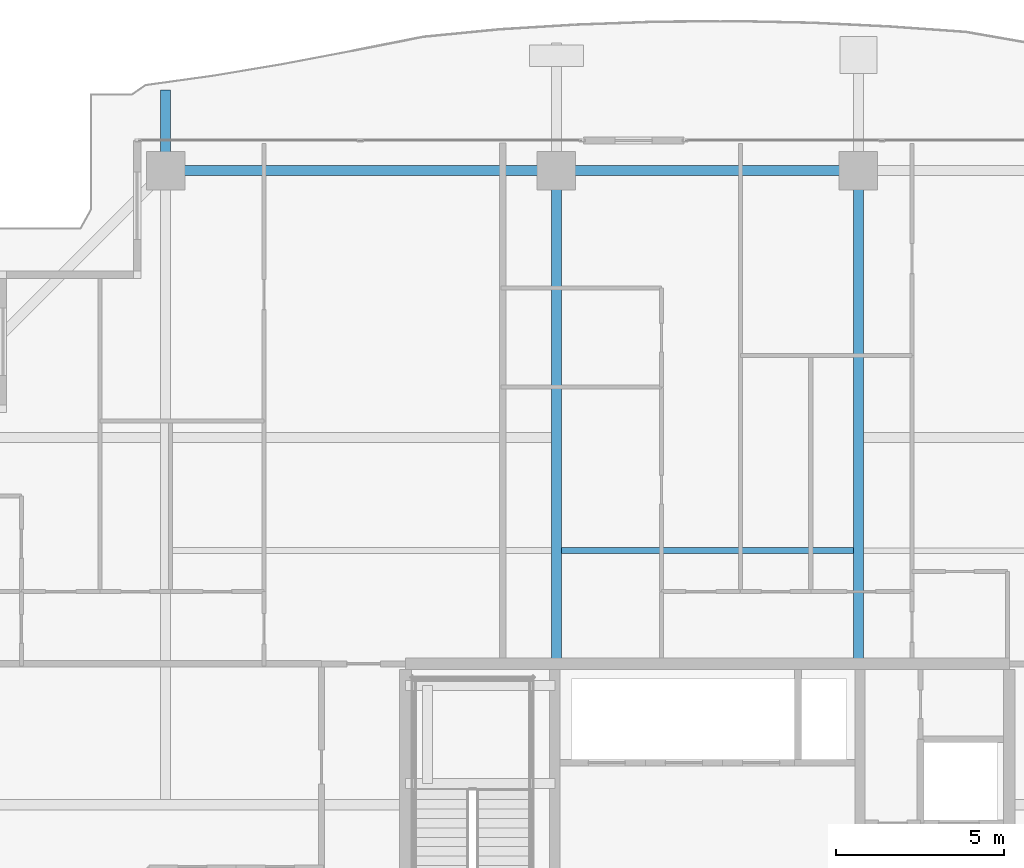
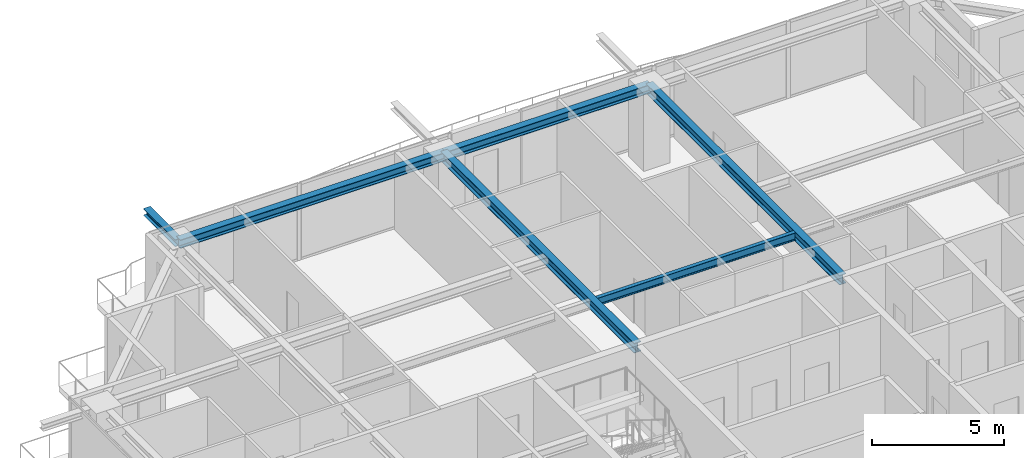
# One storey, part 19 of 37: 6 beams.
"""IFC4 building model written with IfcOpenShell, lengths in metres."""

from ifc_helpers import new_model, si_unit, direction, frame, origin, origin_2d, place, context, subcontext, project, spatial, i_section, extrude, source, transform, mapped, material, material_profile, profile_set, type_object, element, save


model = new_model("IFC4")

# Units and contexts
model_context = context("Model", 3, precision=1e-05, world=origin(), true_north=direction((0.0, 1.0)))
body_context = subcontext(model_context, "Body", "Model", "MODEL_VIEW")
ifc_project = project(units=[si_unit("LENGTHUNIT", "METRE"), si_unit("AREAUNIT", "SQUARE_METRE"), si_unit("VOLUMEUNIT", "CUBIC_METRE"), si_unit("PLANEANGLEUNIT", "RADIAN"), si_unit("MASSUNIT", "GRAM", prefix="KILO")], contexts=[model_context])

# Site, building, storey
site_placement = place(None, origin())
site = spatial("IfcSite", under=ifc_project, at=site_placement, CompositionType="ELEMENT")
building_placement = place(site_placement, origin())
building = spatial("IfcBuilding", under=site, at=building_placement, Name="Serunith Strait Residences", CompositionType="ELEMENT")
storey_placement = place(building_placement, frame((0.0, 0.0, 248.949951171875)))
storey = spatial("IfcBuildingStorey", under=building, at=storey_placement, Name="L62", CompositionType="ELEMENT", Elevation=248.949951171875)

# Beams
ifc_material = material(Name="Steel S355J2", Category="steel")
ifc_material_profile_1 = material_profile(ifc_material, i_section(OverallWidth=0.169921875, OverallDepth=0.360107421875, WebThickness=0.008056640625, FlangeThickness=0.0126953125, FilletRadius=0.01806640625, at=origin_2d()), Name="IPE 360")
ifc_profile_set_1 = profile_set([ifc_material_profile_1], Name="Steel S355J2")
beam_type_1 = type_object("IfcBeamType", Name="BM-IPE360", PredefinedType="JOIST", material=ifc_profile_set_1)
shared_shape_1 = source(origin(), body_context, "Body", "SweptSolid", [
    extrude(i_section(OverallWidth=0.169921875, OverallDepth=0.360107421875, WebThickness=0.008056640625, FlangeThickness=0.0126953125, FilletRadius=0.01806640625, at=origin_2d()), origin(), (0.0, 0.0, 1.0), 8.699951171875),
])
beam_1_placement = place(storey_placement, frame((28.050048828125, 36.97509765625, 3.406982421875), z_axis=(1.0, 0.0, 0.0), x_axis=(0.0, 1.0, 0.0)))
element("IfcBeam", 1, at=beam_1_placement, inside=storey, type_object=beam_type_1, Name="L62 Composite Floor Joist 05", PredefinedType="JOIST", context=body_context, shape_type="MappedRepresentation", body=[
    mapped(shared_shape_1, transform((0.0, 0.0, 0.0), scale=1.0)),
])
ifc_material_profile_2 = material_profile(ifc_material, i_section(OverallWidth=0.300048828125, OverallDepth=0.449951171875, WebThickness=0.013916015625, FlangeThickness=0.02587890625, FilletRadius=0.027099609375, at=origin_2d()), Name="HEB 450")
ifc_profile_set_2 = profile_set([ifc_material_profile_2], Name="Steel S355J2")
beam_type_2 = type_object("IfcBeamType", Name="BM-HEB450", PredefinedType="BEAM", material=ifc_profile_set_2)
shared_shape_2 = source(origin(), body_context, "Body", "SweptSolid", [
    extrude(i_section(OverallWidth=0.300048828125, OverallDepth=0.449951171875, WebThickness=0.013916015625, FlangeThickness=0.02587890625, FilletRadius=0.027099609375, at=origin_2d()), origin(), (0.0, 0.0, 1.0), 14.699951171875),
])
for number, where, z_axis, x_axis, name in (
    (2, (27.89990234375, 33.60009765625, 3.362060546875), (0.0, 1.0, 0.0), (-1.0, 0.0, 0.0), "L62 Primary Floor Girder TC-N2"),
    (3, (36.89990234375, 33.60009765625, 3.362060546875), (0.0, 1.0, 0.0), (-1.0, 0.0, 0.0), "L62 Primary Floor Girder TC-N3"),
):
    element("IfcBeam", number, at=place(storey_placement, frame(where, z_axis=z_axis, x_axis=x_axis)), inside=storey, type_object=beam_type_2, Name=name, PredefinedType="BEAM", context=body_context, shape_type="MappedRepresentation", body=[
        mapped(shared_shape_2, transform((0.0, 0.0, 0.0), scale=1.0)),
    ])
ifc_material_profile_3 = material_profile(ifc_material, i_section(OverallWidth=0.300048828125, OverallDepth=0.39990234375, WebThickness=0.013427734375, FlangeThickness=0.02392578125, FilletRadius=0.027099609375, at=origin_2d()), Name="HEB 400")
ifc_profile_set_3 = profile_set([ifc_material_profile_3], Name="Steel S355J2")
beam_type_3 = type_object("IfcBeamType", Name="BM-HEB400", PredefinedType="BEAM", material=ifc_profile_set_3)
shared_shape_3 = source(origin(), body_context, "Body", "SweptSolid", [
    extrude(i_section(OverallWidth=0.300048828125, OverallDepth=0.39990234375, WebThickness=0.013427734375, FlangeThickness=0.02392578125, FilletRadius=0.027099609375, at=origin_2d()), origin(), (0.0, 0.0, 1.0), 11.64990234375),
])
beam_2_placement = place(storey_placement, frame((27.89990234375, 48.300048828125, 3.386962890625), z_axis=(-1.0, 0.0, 0.0), x_axis=(0.0, -1.0, 0.0)))
element("IfcBeam", 4, at=beam_2_placement, inside=storey, type_object=beam_type_3, Name="L62 Perimeter Ring Beam 11", PredefinedType="BEAM", context=body_context, shape_type="MappedRepresentation", body=[
    mapped(shared_shape_3, transform((0.0, 0.0, 0.0), scale=1.0)),
])
shared_shape_4 = source(origin(), body_context, "Body", "SweptSolid", [
    extrude(i_section(OverallWidth=0.300048828125, OverallDepth=0.39990234375, WebThickness=0.013427734375, FlangeThickness=0.02392578125, FilletRadius=0.027099609375, at=origin_2d()), origin(), (0.0, 0.0, 1.0), 9.0),
])
beam_3_placement = place(storey_placement, frame((36.89990234375, 48.300048828125, 3.386962890625), z_axis=(-1.0, 0.0, 0.0), x_axis=(0.0, -1.0, 0.0)))
element("IfcBeam", 5, at=beam_3_placement, inside=storey, type_object=beam_type_3, Name="L62 Perimeter Ring Beam 10", PredefinedType="BEAM", context=body_context, shape_type="MappedRepresentation", body=[
    mapped(shared_shape_4, transform((0.0, 0.0, 0.0), scale=1.0)),
])
ifc_material_profile_4 = material_profile(ifc_material, i_section(OverallWidth=0.300048828125, OverallDepth=0.320068359375, WebThickness=0.011474609375, FlangeThickness=0.0205078125, FilletRadius=0.027099609375, at=origin_2d()), Name="HEB 320")
ifc_profile_set_4 = profile_set([ifc_material_profile_4], Name="Steel S355J2")
beam_type_4 = type_object("IfcBeamType", Name="BM-HEB320", PredefinedType="BEAM", material=ifc_profile_set_4)
shared_shape_5 = source(origin(), body_context, "Body", "SweptSolid", [
    extrude(i_section(OverallWidth=0.300048828125, OverallDepth=0.320068359375, WebThickness=0.011474609375, FlangeThickness=0.0205078125, FilletRadius=0.027099609375, at=origin_2d()), origin(), (0.0, 0.0, 1.0), 2.41015625),
])
beam_4_placement = place(storey_placement, frame((16.25, 48.300048828125, 3.39697265625), z_axis=(0.0, 1.0, 0.0), x_axis=(-1.0, 0.0, 0.0)))
element("IfcBeam", 6, at=beam_4_placement, inside=storey, type_object=beam_type_4, Name="L63 Cantilevered Balcony Rib TC-N1", PredefinedType="BEAM", context=body_context, shape_type="MappedRepresentation", body=[
    mapped(shared_shape_5, transform((0.0, 0.0, 0.0), scale=1.0)),
])

save(model, "model.ifc")
